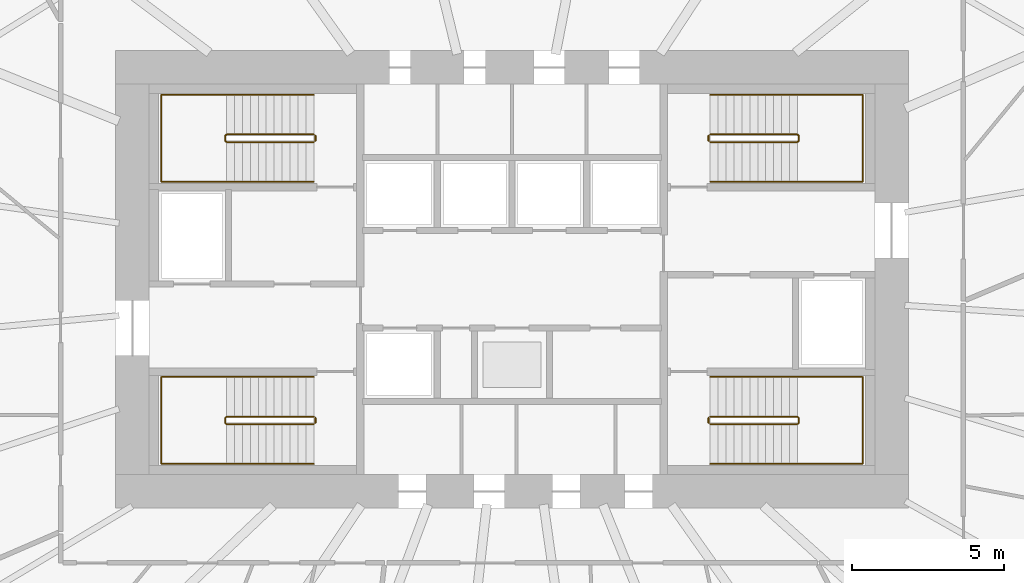
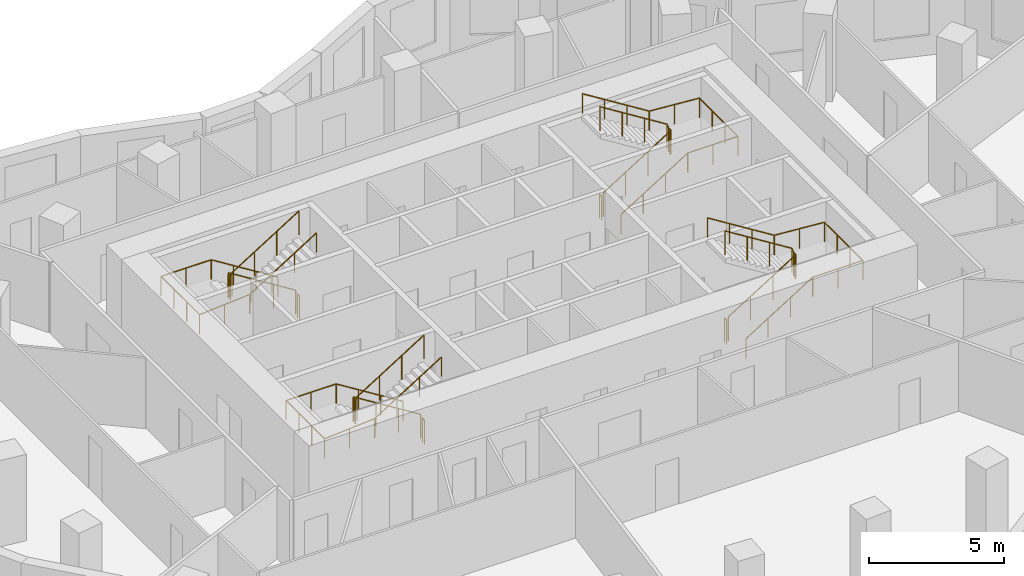
# One storey, part 9 of 10: 12 railings.
"""IFC4 building model written with IfcOpenShell, lengths in metres."""

import ifcopenshell
import ifcopenshell.guid

model = None  # the IFC model being written
_history = None  # IfcOwnerHistory: only IFC2X3 demands one
_inside = {}  # id of a spatial element -> (the spatial element, [elements in it])
_under = {}  # id of a project, library or spatial element -> (it, [spatial elements below it])
_declared = {}  # id of a project -> (the project, [libraries it declares])
_typed = {}  # id of a type object -> (the type object, [elements of that type])
_made_of = {}  # id of a material, layer set ... -> (it, [elements and type objects made of it])


def new_model(schema):
    """Start an empty IFC model of exactly this schema.

    Asked for "IFC4X3", IfcOpenShell would pick the latest addendum, in which some entities
    have other attributes; the version numbers below select the first issue.
    IFC2X3 requires an IfcOwnerHistory on every rooted entity: one is made here for all.
    """
    global model, _history
    if schema == "IFC4X3":
        model = ifcopenshell.file(schema_version=(4, 3, 0, 0))
    else:
        model = ifcopenshell.file(schema=schema)
    _inside.clear()
    _under.clear()
    _declared.clear()
    _typed.clear()
    _made_of.clear()
    _history = None
    if model.schema == "IFC2X3":
        org = make("IfcOrganization", Name="unknown")
        user = make(
            "IfcPersonAndOrganization",
            ThePerson=make("IfcPerson", FamilyName="unknown"),
            TheOrganization=org,
        )
        app = make(
            "IfcApplication",
            ApplicationDeveloper=org,
            Version="unknown",
            ApplicationFullName="unknown",
            ApplicationIdentifier="unknown",
        )
        _history = make(
            "IfcOwnerHistory",
            OwningUser=user,
            OwningApplication=app,
            ChangeAction="ADDED",
            CreationDate=0,
        )
    return model


def make(cls, **values):
    """One entity of the class cls with the attributes given. An attribute that is None is left unset."""
    return model.create_entity(
        cls, **{name: value for name, value in values.items() if value is not None}
    )


def rooted(cls, **values):
    """An entity with a GlobalId (a new one), such as an element, a storey or a relation."""
    return make(cls, GlobalId=ifcopenshell.guid.new(), OwnerHistory=_history, **values)


def si_unit(unit_type, name, prefix=None):
    """IfcSIUnit, for example si_unit("LENGTHUNIT", "METRE", prefix="MILLI")."""
    return make("IfcSIUnit", UnitType=unit_type, Prefix=prefix, Name=name)


def assignment(units):
    """IfcUnitAssignment: the units of a project."""
    return None if units is None else make("IfcUnitAssignment", Units=units)


def point(xyz):
    """IfcCartesianPoint."""
    return None if xyz is None else make("IfcCartesianPoint", Coordinates=xyz)


def direction(xyz):
    """IfcDirection."""
    return None if xyz is None else make("IfcDirection", DirectionRatios=xyz)


def frame(location, z_axis=None, x_axis=None):
    """IfcAxis2Placement3D, a coordinate frame: its origin and axes. An axis left out is left unset."""
    return make(
        "IfcAxis2Placement3D",
        Location=point(location),
        Axis=direction(z_axis),
        RefDirection=direction(x_axis),
    )


def frame_2d(location, x_axis=None):
    """IfcAxis2Placement2D, a coordinate frame in the plane: its origin and x axis."""
    return make(
        "IfcAxis2Placement2D", Location=point(location), RefDirection=direction(x_axis)
    )


def origin():
    """The frame at (0, 0, 0) with its axes left unset."""
    return frame((0.0, 0.0, 0.0))


def origin_2d():
    """The frame at (0, 0) in the plane with its x axis left unset."""
    return frame_2d((0.0, 0.0))


def place(relative_to, where):
    """IfcLocalPlacement: puts the frame where relative to a parent placement (None: the world)."""
    return make(
        "IfcLocalPlacement", PlacementRelTo=relative_to, RelativePlacement=where
    )


def context(
    kind, dimensions, precision=None, world=None, true_north=None, identifier=None
):
    """IfcGeometricRepresentationContext, for example the 3D "Model" context."""
    return make(
        "IfcGeometricRepresentationContext",
        ContextIdentifier=identifier,
        ContextType=kind,
        CoordinateSpaceDimension=dimensions,
        Precision=precision,
        WorldCoordinateSystem=world,
        TrueNorth=true_north,
    )


def subcontext(parent, identifier, kind, view, scale=None):
    """IfcGeometricRepresentationSubContext, for example "Body" below "Model"."""
    return make(
        "IfcGeometricRepresentationSubContext",
        ContextIdentifier=identifier,
        ContextType=kind,
        ParentContext=parent,
        TargetScale=scale,
        TargetView=view,
    )


def project(units=None, contexts=None):
    """IfcProject with its units and contexts."""
    return rooted(
        "IfcProject",
        Name="project",
        RepresentationContexts=contexts,
        UnitsInContext=assignment(units),
    )


def spatial(cls, under=None, at=None, **own):
    """A site, building, storey or space (cls), placed at a placement, below another one or the project."""
    s = rooted(cls, ObjectPlacement=at, **own)
    if under is not None:
        _under.setdefault(under.id(), (under, []))[1].append(s)
    return s


def profile(cls, at=None, kind="AREA", **sizes):
    """A parametric profile (cls). Its sizes go by their IFC names, for example OverallWidth=200.0."""
    return make(cls, ProfileType=kind, Position=at, **sizes)


def circle(**sizes):
    """IfcCircleProfileDef."""
    return profile("IfcCircleProfileDef", **sizes)


def extrude(swept, where, along, depth):
    """IfcExtrudedAreaSolid: the profile swept, set in the frame where, extruded along a direction by depth."""
    return make(
        "IfcExtrudedAreaSolid",
        SweptArea=swept,
        Position=where,
        ExtrudedDirection=direction(along),
        Depth=depth,
    )


def shape(context_of_items, identifier, shape_type, items):
    """IfcShapeRepresentation: the items that make up one representation, for example the "Body"."""
    return make(
        "IfcShapeRepresentation",
        ContextOfItems=context_of_items,
        RepresentationIdentifier=identifier,
        RepresentationType=shape_type,
        Items=items,
    )


def material(Name=None, Category=None):
    """IfcMaterial."""
    return make("IfcMaterial", Name=Name, Category=Category)


def made_of(thing, what):
    """Note that an element or type object is made of a material, layer set ...; save() writes the relation."""
    if what is not None:
        _made_of.setdefault(what.id(), (what, []))[1].append(thing)
    return thing


def type_object(cls, material=None, **own):
    """A type object (cls), such as IfcWallType, which elements share."""
    return made_of(rooted(cls, **own), material)


def element(
    cls,
    number,
    at=None,
    inside=None,
    cuts=None,
    type_object=None,
    material=None,
    context=None,
    identifier="Body",
    shape_type=None,
    held_by="IfcProductDefinitionShape",
    body=None,
    shapes=None,
    **own,
):
    """One element of the class cls, such as IfcWall. Its Tag is "e" and its number.

    at: its placement. inside: the storey or other place that contains it. cuts: it is an
    opening in that element (IfcRelVoidsElement). A single representation is given by context,
    identifier, shape_type and body (its items); several are given by shapes. held_by: the class
    of the entity that holds the representations. save() writes the other relations.
    """
    e = rooted(cls, Tag="e%d" % number, ObjectPlacement=at, **own)
    if body is not None:
        shapes = [shape(context, identifier, shape_type, body)]
    if shapes is not None:
        e.Representation = make(held_by, Representations=shapes)
    if inside is not None:
        _inside.setdefault(inside.id(), (inside, []))[1].append(e)
    if cuts is not None:
        rooted(
            "IfcRelVoidsElement", RelatingBuildingElement=cuts, RelatedOpeningElement=e
        )
    if type_object is not None:
        _typed.setdefault(type_object.id(), (type_object, []))[1].append(e)
    return made_of(e, material)


def aggregate(whole, parts):
    """IfcRelAggregates: a whole, such as a stair, and the parts it consists of."""
    return rooted("IfcRelAggregates", RelatingObject=whole, RelatedObjects=parts)


def save(model, path):
    """Write the relations noted so far, then the file.

    IfcRelAggregates (storeys below a building ...), IfcRelContainedInSpatialStructure (elements
    in a storey), IfcRelDefinesByType, IfcRelAssociatesMaterial and IfcRelDeclares: one each for
    every whole, place, type object, material and project.
    """
    for whole, parts in _under.values():
        aggregate(whole, parts)
    for where, things in _inside.values():
        rooted(
            "IfcRelContainedInSpatialStructure",
            RelatedElements=things,
            RelatingStructure=where,
        )
    for kind, things in _typed.values():
        rooted("IfcRelDefinesByType", RelatedObjects=things, RelatingType=kind)
    for what, things in _made_of.values():
        rooted("IfcRelAssociatesMaterial", RelatedObjects=things, RelatingMaterial=what)
    for by, libraries in _declared.values():
        rooted("IfcRelDeclares", RelatingContext=by, RelatedDefinitions=libraries)
    model.write(path)


model = new_model("IFC4")

# Units and contexts
model_context = context("Model", 3, precision=1e-05, world=origin(), true_north=direction((0.0, 1.0)))
body_context = subcontext(model_context, "Body", "Model", "MODEL_VIEW")
ifc_project = project(units=[si_unit("LENGTHUNIT", "METRE"), si_unit("AREAUNIT", "SQUARE_METRE"), si_unit("VOLUMEUNIT", "CUBIC_METRE"), si_unit("PLANEANGLEUNIT", "RADIAN"), si_unit("MASSUNIT", "GRAM", prefix="KILO")], contexts=[model_context])

# Site, building, storey
site_placement = place(None, origin())
site = spatial("IfcSite", under=ifc_project, at=site_placement, CompositionType="ELEMENT")
building_placement = place(site_placement, origin())
building = spatial("IfcBuilding", under=site, at=building_placement, Name="Rubra Terraces Tower", CompositionType="ELEMENT")
storey_placement = place(building_placement, frame((0.0, 0.0, 134.39990234375)))
storey = spatial("IfcBuildingStorey", under=building, at=storey_placement, Name="L32", CompositionType="ELEMENT", Elevation=134.39990234375)

# Railings
ifc_material = material(Name="Stainless steel", Category="steel")
railing_type_1 = type_object("IfcRailingType", Name="Core stair guard 1100", PredefinedType="GUARDRAIL", material=ifc_material)
railing_1_placement = place(storey_placement, frame((-6.5, 0.0, 0.16259765625)))
element("IfcRailing", 1, at=railing_1_placement, inside=storey, type_object=railing_type_1, Name="L32 stair S1 guard 1", PredefinedType="GUARDRAIL", context=body_context, shape_type="SweptSolid", body=[
    extrude(circle(Radius=0.02392578125, at=origin_2d()), frame((0.0, 0.0, 1.076171875), z_axis=(-0.847994237388, 0.0, 0.530005446535), x_axis=(0.0, -1.0, 0.0)), (0.0, 0.0, 1.0), 3.372802734375),
    extrude(circle(Radius=0.02392578125, at=origin_2d()), frame((-2.860107421875, 0.0, 2.86376953125), z_axis=(-0.705375805398, -0.708833529934, 0.0), x_axis=(0.708833529934, -0.705375805398, 0.0)), (0.0, 0.0, 1.0), 0.070556640625),
    extrude(circle(Radius=0.02392578125, at=origin_2d()), frame((-2.909912109375, -0.050048828125, 2.86376953125), z_axis=(0.0, -1.0, 0.0), x_axis=(1.0, 0.0, 0.0)), (0.0, 0.0, 1.0), 0.14990234375),
    extrude(circle(Radius=0.02392578125, at=origin_2d()), frame((-2.909912109375, -0.199951171875, 2.86376953125), z_axis=(0.281314826061, -0.282693820306, 0.917031173188), x_axis=(0.708833529934, 0.705375805398, 0.0)), (0.0, 0.0, 1.0), 0.177001953125),
    extrude(circle(Radius=0.02392578125, at=origin_2d()), frame((-2.860107421875, -0.25, 3.02587890625), z_axis=(0.847994237388, 0.0, 0.530005446535), x_axis=(0.0, 1.0, 0.0)), (0.0, 0.0, 1.0), 3.372802734375),
    extrude(circle(Radius=0.02099609375, at=origin_2d()), origin(), (0.0, 0.0, 1.0), 1.052001953125),
    extrude(circle(Radius=0.02099609375, at=origin_2d()), frame((-0.953369140625, 0.0, 0.595947265625)), (0.0, 0.0, 1.0), 1.052001953125),
    extrude(circle(Radius=0.02099609375, at=origin_2d()), frame((-1.90673828125, 0.0, 1.191650390625)), (0.0, 0.0, 1.0), 1.052001953125),
    extrude(circle(Radius=0.02099609375, at=origin_2d()), frame((-2.860107421875, 0.0, 1.78759765625)), (0.0, 0.0, 1.0), 1.052001953125),
    extrude(circle(Radius=0.02099609375, at=origin_2d()), frame((-2.909912109375, -0.050048828125, 1.78759765625)), (0.0, 0.0, 1.0), 1.052001953125),
    extrude(circle(Radius=0.02099609375, at=origin_2d()), frame((-2.909912109375, -0.199951171875, 1.78759765625)), (0.0, 0.0, 1.0), 1.052001953125),
    extrude(circle(Radius=0.02099609375, at=origin_2d()), frame((-2.860107421875, -0.25, 1.949951171875)), (0.0, 0.0, 1.0), 1.052001953125),
    extrude(circle(Radius=0.02099609375, at=origin_2d()), frame((-1.90673828125, -0.25, 2.5458984375)), (0.0, 0.0, 1.0), 1.052001953125),
    extrude(circle(Radius=0.02099609375, at=origin_2d()), frame((-0.953369140625, -0.25, 3.1416015625)), (0.0, 0.0, 1.0), 1.052001953125),
    extrude(circle(Radius=0.02099609375, at=origin_2d()), frame((0.0, -0.25, 3.737548828125)), (0.0, 0.0, 1.0), 1.052001953125),
])
railing_2_placement = place(storey_placement, frame((-6.449951171875, -0.050048828125, 0.0)))
element("IfcRailing", 2, at=railing_2_placement, inside=storey, type_object=railing_type_1, Name="L32 stair S1 guard 2", PredefinedType="GUARDRAIL", context=body_context, shape_type="SweptSolid", body=[
    extrude(circle(Radius=0.02392578125, at=origin_2d()), frame((0.0, 0.0, 1.076171875), z_axis=(0.0, -1.0, 0.0), x_axis=(1.0, 0.0, 0.0)), (0.0, 0.0, 1.0), 0.14990234375),
    extrude(circle(Radius=0.02099609375, at=origin_2d()), origin(), (0.0, 0.0, 1.0), 1.052001953125),
    extrude(circle(Radius=0.02099609375, at=origin_2d()), frame((0.0, -0.14990234375, 0.0)), (0.0, 0.0, 1.0), 1.052001953125),
])
railing_3_placement = place(storey_placement, frame((-6.5, 9.25, 0.16259765625)))
element("IfcRailing", 3, at=railing_3_placement, inside=storey, type_object=railing_type_1, Name="L32 stair S2 guard 1", PredefinedType="GUARDRAIL", context=body_context, shape_type="SweptSolid", body=[
    extrude(circle(Radius=0.02392578125, at=origin_2d()), frame((0.0, 0.0, 1.076171875), z_axis=(-0.847994237388, 0.0, 0.530005446535), x_axis=(0.0, -1.0, 0.0)), (0.0, 0.0, 1.0), 3.372802734375),
    extrude(circle(Radius=0.02392578125, at=origin_2d()), frame((-2.860107421875, 0.0, 2.86376953125), z_axis=(-0.705375805398, -0.708833529934, 0.0), x_axis=(0.708833529934, -0.705375805398, 0.0)), (0.0, 0.0, 1.0), 0.070556640625),
    extrude(circle(Radius=0.02392578125, at=origin_2d()), frame((-2.909912109375, -0.050048828125, 2.86376953125), z_axis=(0.0, -1.0, 0.0), x_axis=(1.0, 0.0, 0.0)), (0.0, 0.0, 1.0), 0.14990234375),
    extrude(circle(Radius=0.02392578125, at=origin_2d()), frame((-2.909912109375, -0.199951171875, 2.86376953125), z_axis=(0.281314826061, -0.282693820306, 0.917031173188), x_axis=(0.708833529934, 0.705375805398, 0.0)), (0.0, 0.0, 1.0), 0.177001953125),
    extrude(circle(Radius=0.02392578125, at=origin_2d()), frame((-2.860107421875, -0.25, 3.02587890625), z_axis=(0.847994237388, 0.0, 0.530005446535), x_axis=(0.0, 1.0, 0.0)), (0.0, 0.0, 1.0), 3.372802734375),
    extrude(circle(Radius=0.02099609375, at=origin_2d()), origin(), (0.0, 0.0, 1.0), 1.052001953125),
    extrude(circle(Radius=0.02099609375, at=origin_2d()), frame((-0.953369140625, 0.0, 0.595947265625)), (0.0, 0.0, 1.0), 1.052001953125),
    extrude(circle(Radius=0.02099609375, at=origin_2d()), frame((-1.90673828125, 0.0, 1.191650390625)), (0.0, 0.0, 1.0), 1.052001953125),
    extrude(circle(Radius=0.02099609375, at=origin_2d()), frame((-2.860107421875, 0.0, 1.78759765625)), (0.0, 0.0, 1.0), 1.052001953125),
    extrude(circle(Radius=0.02099609375, at=origin_2d()), frame((-2.909912109375, -0.050048828125, 1.78759765625)), (0.0, 0.0, 1.0), 1.052001953125),
    extrude(circle(Radius=0.02099609375, at=origin_2d()), frame((-2.909912109375, -0.199951171875, 1.78759765625)), (0.0, 0.0, 1.0), 1.052001953125),
    extrude(circle(Radius=0.02099609375, at=origin_2d()), frame((-2.860107421875, -0.25, 1.949951171875)), (0.0, 0.0, 1.0), 1.052001953125),
    extrude(circle(Radius=0.02099609375, at=origin_2d()), frame((-1.90673828125, -0.25, 2.5458984375)), (0.0, 0.0, 1.0), 1.052001953125),
    extrude(circle(Radius=0.02099609375, at=origin_2d()), frame((-0.953369140625, -0.25, 3.1416015625)), (0.0, 0.0, 1.0), 1.052001953125),
    extrude(circle(Radius=0.02099609375, at=origin_2d()), frame((0.0, -0.25, 3.737548828125)), (0.0, 0.0, 1.0), 1.052001953125),
])
railing_4_placement = place(storey_placement, frame((-6.449951171875, 9.199951171875, 0.0)))
element("IfcRailing", 4, at=railing_4_placement, inside=storey, type_object=railing_type_1, Name="L32 stair S2 guard 2", PredefinedType="GUARDRAIL", context=body_context, shape_type="SweptSolid", body=[
    extrude(circle(Radius=0.02392578125, at=origin_2d()), frame((0.0, 0.0, 1.076171875), z_axis=(0.0, -1.0, 0.0), x_axis=(1.0, 0.0, 0.0)), (0.0, 0.0, 1.0), 0.14990234375),
    extrude(circle(Radius=0.02099609375, at=origin_2d()), origin(), (0.0, 0.0, 1.0), 1.052001953125),
    extrude(circle(Radius=0.02099609375, at=origin_2d()), frame((0.0, -0.14990234375, 0.0)), (0.0, 0.0, 1.0), 1.052001953125),
])
railing_5_placement = place(storey_placement, frame((6.5, 9.0, 0.16259765625)))
element("IfcRailing", 5, at=railing_5_placement, inside=storey, type_object=railing_type_1, Name="L32 stair S3 guard 1", PredefinedType="GUARDRAIL", context=body_context, shape_type="SweptSolid", body=[
    extrude(circle(Radius=0.02392578125, at=origin_2d()), frame((0.0, 0.0, 1.076171875), z_axis=(0.847994237388, 0.0, 0.530005446535), x_axis=(0.0, 1.0, 0.0)), (0.0, 0.0, 1.0), 3.372802734375),
    extrude(circle(Radius=0.02392578125, at=origin_2d()), frame((2.860107421875, 0.0, 2.86376953125), z_axis=(0.705375805398, 0.708833529934, 0.0), x_axis=(-0.708833529934, 0.705375805398, 0.0)), (0.0, 0.0, 1.0), 0.070556640625),
    extrude(circle(Radius=0.02392578125, at=origin_2d()), frame((2.909912109375, 0.050048828125, 2.86376953125), z_axis=(0.0, 1.0, 0.0), x_axis=(-1.0, 0.0, 0.0)), (0.0, 0.0, 1.0), 0.14990234375),
    extrude(circle(Radius=0.02392578125, at=origin_2d()), frame((2.909912109375, 0.199951171875, 2.86376953125), z_axis=(-0.281314826061, 0.282693820306, 0.917031173188), x_axis=(-0.708833529934, -0.705375805398, 0.0)), (0.0, 0.0, 1.0), 0.177001953125),
    extrude(circle(Radius=0.02392578125, at=origin_2d()), frame((2.860107421875, 0.25, 3.02587890625), z_axis=(-0.847994237388, 0.0, 0.530005446535), x_axis=(0.0, -1.0, 0.0)), (0.0, 0.0, 1.0), 3.372802734375),
    extrude(circle(Radius=0.02099609375, at=origin_2d()), origin(), (0.0, 0.0, 1.0), 1.052001953125),
    extrude(circle(Radius=0.02099609375, at=origin_2d()), frame((0.953369140625, 0.0, 0.595947265625)), (0.0, 0.0, 1.0), 1.052001953125),
    extrude(circle(Radius=0.02099609375, at=origin_2d()), frame((1.90673828125, 0.0, 1.191650390625)), (0.0, 0.0, 1.0), 1.052001953125),
    extrude(circle(Radius=0.02099609375, at=origin_2d()), frame((2.860107421875, 0.0, 1.78759765625)), (0.0, 0.0, 1.0), 1.052001953125),
    extrude(circle(Radius=0.02099609375, at=origin_2d()), frame((2.909912109375, 0.050048828125, 1.78759765625)), (0.0, 0.0, 1.0), 1.052001953125),
    extrude(circle(Radius=0.02099609375, at=origin_2d()), frame((2.909912109375, 0.199951171875, 1.78759765625)), (0.0, 0.0, 1.0), 1.052001953125),
    extrude(circle(Radius=0.02099609375, at=origin_2d()), frame((2.860107421875, 0.25, 1.949951171875)), (0.0, 0.0, 1.0), 1.052001953125),
    extrude(circle(Radius=0.02099609375, at=origin_2d()), frame((1.90673828125, 0.25, 2.5458984375)), (0.0, 0.0, 1.0), 1.052001953125),
    extrude(circle(Radius=0.02099609375, at=origin_2d()), frame((0.953369140625, 0.25, 3.1416015625)), (0.0, 0.0, 1.0), 1.052001953125),
    extrude(circle(Radius=0.02099609375, at=origin_2d()), frame((0.0, 0.25, 3.737548828125)), (0.0, 0.0, 1.0), 1.052001953125),
])
railing_6_placement = place(storey_placement, frame((6.449951171875, 9.050048828125, 0.0)))
element("IfcRailing", 6, at=railing_6_placement, inside=storey, type_object=railing_type_1, Name="L32 stair S3 guard 2", PredefinedType="GUARDRAIL", context=body_context, shape_type="SweptSolid", body=[
    extrude(circle(Radius=0.02392578125, at=origin_2d()), frame((0.0, 0.0, 1.076171875), z_axis=(0.0, 1.0, 0.0), x_axis=(-1.0, 0.0, 0.0)), (0.0, 0.0, 1.0), 0.14990234375),
    extrude(circle(Radius=0.02099609375, at=origin_2d()), origin(), (0.0, 0.0, 1.0), 1.052001953125),
    extrude(circle(Radius=0.02099609375, at=origin_2d()), frame((0.0, 0.14990234375, 0.0)), (0.0, 0.0, 1.0), 1.052001953125),
])
railing_7_placement = place(storey_placement, frame((6.5, -0.25, 0.16259765625)))
element("IfcRailing", 7, at=railing_7_placement, inside=storey, type_object=railing_type_1, Name="L32 stair S4 guard 1", PredefinedType="GUARDRAIL", context=body_context, shape_type="SweptSolid", body=[
    extrude(circle(Radius=0.02392578125, at=origin_2d()), frame((0.0, 0.0, 1.076171875), z_axis=(0.847994237388, 0.0, 0.530005446535), x_axis=(0.0, 1.0, 0.0)), (0.0, 0.0, 1.0), 3.372802734375),
    extrude(circle(Radius=0.02392578125, at=origin_2d()), frame((2.860107421875, 0.0, 2.86376953125), z_axis=(0.705375805398, 0.708833529934, 0.0), x_axis=(-0.708833529934, 0.705375805398, 0.0)), (0.0, 0.0, 1.0), 0.070556640625),
    extrude(circle(Radius=0.02392578125, at=origin_2d()), frame((2.909912109375, 0.050048828125, 2.86376953125), z_axis=(0.0, 1.0, 0.0), x_axis=(-1.0, 0.0, 0.0)), (0.0, 0.0, 1.0), 0.14990234375),
    extrude(circle(Radius=0.02392578125, at=origin_2d()), frame((2.909912109375, 0.199951171875, 2.86376953125), z_axis=(-0.281314826061, 0.282693820306, 0.917031173188), x_axis=(-0.708833529934, -0.705375805398, 0.0)), (0.0, 0.0, 1.0), 0.177001953125),
    extrude(circle(Radius=0.02392578125, at=origin_2d()), frame((2.860107421875, 0.25, 3.02587890625), z_axis=(-0.847994237388, 0.0, 0.530005446535), x_axis=(0.0, -1.0, 0.0)), (0.0, 0.0, 1.0), 3.372802734375),
    extrude(circle(Radius=0.02099609375, at=origin_2d()), origin(), (0.0, 0.0, 1.0), 1.052001953125),
    extrude(circle(Radius=0.02099609375, at=origin_2d()), frame((0.953369140625, 0.0, 0.595947265625)), (0.0, 0.0, 1.0), 1.052001953125),
    extrude(circle(Radius=0.02099609375, at=origin_2d()), frame((1.90673828125, 0.0, 1.191650390625)), (0.0, 0.0, 1.0), 1.052001953125),
    extrude(circle(Radius=0.02099609375, at=origin_2d()), frame((2.860107421875, 0.0, 1.78759765625)), (0.0, 0.0, 1.0), 1.052001953125),
    extrude(circle(Radius=0.02099609375, at=origin_2d()), frame((2.909912109375, 0.050048828125, 1.78759765625)), (0.0, 0.0, 1.0), 1.052001953125),
    extrude(circle(Radius=0.02099609375, at=origin_2d()), frame((2.909912109375, 0.199951171875, 1.78759765625)), (0.0, 0.0, 1.0), 1.052001953125),
    extrude(circle(Radius=0.02099609375, at=origin_2d()), frame((2.860107421875, 0.25, 1.949951171875)), (0.0, 0.0, 1.0), 1.052001953125),
    extrude(circle(Radius=0.02099609375, at=origin_2d()), frame((1.90673828125, 0.25, 2.5458984375)), (0.0, 0.0, 1.0), 1.052001953125),
    extrude(circle(Radius=0.02099609375, at=origin_2d()), frame((0.953369140625, 0.25, 3.1416015625)), (0.0, 0.0, 1.0), 1.052001953125),
    extrude(circle(Radius=0.02099609375, at=origin_2d()), frame((0.0, 0.25, 3.737548828125)), (0.0, 0.0, 1.0), 1.052001953125),
])
railing_8_placement = place(storey_placement, frame((6.449951171875, -0.199951171875, 0.0)))
element("IfcRailing", 8, at=railing_8_placement, inside=storey, type_object=railing_type_1, Name="L32 stair S4 guard 2", PredefinedType="GUARDRAIL", context=body_context, shape_type="SweptSolid", body=[
    extrude(circle(Radius=0.02392578125, at=origin_2d()), frame((0.0, 0.0, 1.076171875), z_axis=(0.0, 1.0, 0.0), x_axis=(-1.0, 0.0, 0.0)), (0.0, 0.0, 1.0), 0.14990234375),
    extrude(circle(Radius=0.02099609375, at=origin_2d()), origin(), (0.0, 0.0, 1.0), 1.052001953125),
    extrude(circle(Radius=0.02099609375, at=origin_2d()), frame((0.0, 0.14990234375, 0.0)), (0.0, 0.0, 1.0), 1.052001953125),
])
railing_type_2 = type_object("IfcRailingType", Name="Core stair handrail 900", PredefinedType="HANDRAIL", material=ifc_material)
railing_9_placement = place(storey_placement, frame((-6.5, 1.300048828125, 0.16259765625)))
element("IfcRailing", 9, at=railing_9_placement, inside=storey, type_object=railing_type_2, Name="L32 stair S1 handrail 1", PredefinedType="HANDRAIL", context=body_context, shape_type="SweptSolid", body=[
    extrude(circle(Radius=0.02392578125, at=origin_2d()), frame((0.0, 0.0, 0.8759765625), z_axis=(-0.847994237388, 0.0, 0.530005446535), x_axis=(0.0, -1.0, 0.0)), (0.0, 0.0, 1.0), 3.372802734375),
    extrude(circle(Radius=0.02392578125, at=origin_2d()), frame((-2.860107421875, 0.0, 2.66357421875), z_axis=(-1.0, 0.0, 0.0), x_axis=(0.0, -1.0, 0.0)), (0.0, 0.0, 1.0), 2.139892578125),
    extrude(circle(Radius=0.02392578125, at=origin_2d()), frame((-5.0, 0.0, 2.66357421875), z_axis=(0.0, -1.0, 0.0), x_axis=(1.0, 0.0, 0.0)), (0.0, 0.0, 1.0), 2.85009765625),
    extrude(circle(Radius=0.02392578125, at=origin_2d()), frame((-5.0, -2.85009765625, 2.66357421875), z_axis=(0.9971342424, 0.0, 0.075652512401), x_axis=(0.0, 1.0, 0.0)), (0.0, 0.0, 1.0), 2.14599609375),
    extrude(circle(Radius=0.02392578125, at=origin_2d()), frame((-2.860107421875, -2.85009765625, 2.82568359375), z_axis=(0.847994237388, 0.0, 0.530005446535), x_axis=(0.0, 1.0, 0.0)), (0.0, 0.0, 1.0), 3.372802734375),
    extrude(circle(Radius=0.02099609375, at=origin_2d()), origin(), (0.0, 0.0, 1.0), 0.851806640625),
    extrude(circle(Radius=0.02099609375, at=origin_2d()), frame((-0.953369140625, 0.0, 0.595947265625)), (0.0, 0.0, 1.0), 0.851806640625),
    extrude(circle(Radius=0.02099609375, at=origin_2d()), frame((-1.90673828125, 0.0, 1.191650390625)), (0.0, 0.0, 1.0), 0.851806640625),
    extrude(circle(Radius=0.02099609375, at=origin_2d()), frame((-2.860107421875, 0.0, 1.78759765625)), (0.0, 0.0, 1.0), 0.851806640625),
    extrude(circle(Radius=0.02099609375, at=origin_2d()), frame((-3.93017578125, 0.0, 1.78759765625)), (0.0, 0.0, 1.0), 0.851806640625),
    extrude(circle(Radius=0.02099609375, at=origin_2d()), frame((-5.0, 0.0, 1.78759765625)), (0.0, 0.0, 1.0), 0.851806640625),
    extrude(circle(Radius=0.02099609375, at=origin_2d()), frame((-5.0, -0.949951171875, 1.78759765625)), (0.0, 0.0, 1.0), 0.851806640625),
    extrude(circle(Radius=0.02099609375, at=origin_2d()), frame((-5.0, -1.900146484375, 1.78759765625)), (0.0, 0.0, 1.0), 0.851806640625),
    extrude(circle(Radius=0.02099609375, at=origin_2d()), frame((-5.0, -2.85009765625, 1.78759765625)), (0.0, 0.0, 1.0), 0.851806640625),
    extrude(circle(Radius=0.02099609375, at=origin_2d()), frame((-3.93017578125, -2.85009765625, 1.86865234375)), (0.0, 0.0, 1.0), 0.851806640625),
    extrude(circle(Radius=0.02099609375, at=origin_2d()), frame((-2.860107421875, -2.85009765625, 1.949951171875)), (0.0, 0.0, 1.0), 0.851806640625),
    extrude(circle(Radius=0.02099609375, at=origin_2d()), frame((-1.90673828125, -2.85009765625, 2.5458984375)), (0.0, 0.0, 1.0), 0.851806640625),
    extrude(circle(Radius=0.02099609375, at=origin_2d()), frame((-0.953369140625, -2.85009765625, 3.1416015625)), (0.0, 0.0, 1.0), 0.851806640625),
    extrude(circle(Radius=0.02099609375, at=origin_2d()), frame((0.0, -2.85009765625, 3.737548828125)), (0.0, 0.0, 1.0), 0.851806640625),
])
railing_10_placement = place(storey_placement, frame((-6.5, 10.550048828125, 0.16259765625)))
element("IfcRailing", 10, at=railing_10_placement, inside=storey, type_object=railing_type_2, Name="L32 stair S2 handrail 1", PredefinedType="HANDRAIL", context=body_context, shape_type="SweptSolid", body=[
    extrude(circle(Radius=0.02392578125, at=origin_2d()), frame((0.0, 0.0, 0.8759765625), z_axis=(-0.847994237388, 0.0, 0.530005446535), x_axis=(0.0, -1.0, 0.0)), (0.0, 0.0, 1.0), 3.372802734375),
    extrude(circle(Radius=0.02392578125, at=origin_2d()), frame((-2.860107421875, 0.0, 2.66357421875), z_axis=(-1.0, 0.0, 0.0), x_axis=(0.0, -1.0, 0.0)), (0.0, 0.0, 1.0), 2.139892578125),
    extrude(circle(Radius=0.02392578125, at=origin_2d()), frame((-5.0, 0.0, 2.66357421875), z_axis=(0.0, -1.0, 0.0), x_axis=(1.0, 0.0, 0.0)), (0.0, 0.0, 1.0), 2.85009765625),
    extrude(circle(Radius=0.02392578125, at=origin_2d()), frame((-5.0, -2.85009765625, 2.66357421875), z_axis=(0.9971342424, 0.0, 0.075652512401), x_axis=(0.0, 1.0, 0.0)), (0.0, 0.0, 1.0), 2.14599609375),
    extrude(circle(Radius=0.02392578125, at=origin_2d()), frame((-2.860107421875, -2.85009765625, 2.82568359375), z_axis=(0.847994237388, 0.0, 0.530005446535), x_axis=(0.0, 1.0, 0.0)), (0.0, 0.0, 1.0), 3.372802734375),
    extrude(circle(Radius=0.02099609375, at=origin_2d()), origin(), (0.0, 0.0, 1.0), 0.851806640625),
    extrude(circle(Radius=0.02099609375, at=origin_2d()), frame((-0.953369140625, 0.0, 0.595947265625)), (0.0, 0.0, 1.0), 0.851806640625),
    extrude(circle(Radius=0.02099609375, at=origin_2d()), frame((-1.90673828125, 0.0, 1.191650390625)), (0.0, 0.0, 1.0), 0.851806640625),
    extrude(circle(Radius=0.02099609375, at=origin_2d()), frame((-2.860107421875, 0.0, 1.78759765625)), (0.0, 0.0, 1.0), 0.851806640625),
    extrude(circle(Radius=0.02099609375, at=origin_2d()), frame((-3.93017578125, 0.0, 1.78759765625)), (0.0, 0.0, 1.0), 0.851806640625),
    extrude(circle(Radius=0.02099609375, at=origin_2d()), frame((-5.0, 0.0, 1.78759765625)), (0.0, 0.0, 1.0), 0.851806640625),
    extrude(circle(Radius=0.02099609375, at=origin_2d()), frame((-5.0, -0.949951171875, 1.78759765625)), (0.0, 0.0, 1.0), 0.851806640625),
    extrude(circle(Radius=0.02099609375, at=origin_2d()), frame((-5.0, -1.900146484375, 1.78759765625)), (0.0, 0.0, 1.0), 0.851806640625),
    extrude(circle(Radius=0.02099609375, at=origin_2d()), frame((-5.0, -2.85009765625, 1.78759765625)), (0.0, 0.0, 1.0), 0.851806640625),
    extrude(circle(Radius=0.02099609375, at=origin_2d()), frame((-3.93017578125, -2.85009765625, 1.86865234375)), (0.0, 0.0, 1.0), 0.851806640625),
    extrude(circle(Radius=0.02099609375, at=origin_2d()), frame((-2.860107421875, -2.85009765625, 1.949951171875)), (0.0, 0.0, 1.0), 0.851806640625),
    extrude(circle(Radius=0.02099609375, at=origin_2d()), frame((-1.90673828125, -2.85009765625, 2.5458984375)), (0.0, 0.0, 1.0), 0.851806640625),
    extrude(circle(Radius=0.02099609375, at=origin_2d()), frame((-0.953369140625, -2.85009765625, 3.1416015625)), (0.0, 0.0, 1.0), 0.851806640625),
    extrude(circle(Radius=0.02099609375, at=origin_2d()), frame((0.0, -2.85009765625, 3.737548828125)), (0.0, 0.0, 1.0), 0.851806640625),
])
railing_11_placement = place(storey_placement, frame((6.5, 7.699951171875, 0.16259765625)))
element("IfcRailing", 11, at=railing_11_placement, inside=storey, type_object=railing_type_2, Name="L32 stair S3 handrail 1", PredefinedType="HANDRAIL", context=body_context, shape_type="SweptSolid", body=[
    extrude(circle(Radius=0.02392578125, at=origin_2d()), frame((0.0, 0.0, 0.8759765625), z_axis=(0.847994237388, 0.0, 0.530005446535), x_axis=(0.0, 1.0, 0.0)), (0.0, 0.0, 1.0), 3.372802734375),
    extrude(circle(Radius=0.02392578125, at=origin_2d()), frame((2.860107421875, 0.0, 2.66357421875), z_axis=(1.0, 0.0, 0.0), x_axis=(0.0, 1.0, 0.0)), (0.0, 0.0, 1.0), 2.139892578125),
    extrude(circle(Radius=0.02392578125, at=origin_2d()), frame((5.0, 0.0, 2.66357421875), z_axis=(0.0, 1.0, 0.0), x_axis=(-1.0, 0.0, 0.0)), (0.0, 0.0, 1.0), 2.85009765625),
    extrude(circle(Radius=0.02392578125, at=origin_2d()), frame((5.0, 2.85009765625, 2.66357421875), z_axis=(-0.9971342424, 0.0, 0.075652512401), x_axis=(0.0, -1.0, 0.0)), (0.0, 0.0, 1.0), 2.14599609375),
    extrude(circle(Radius=0.02392578125, at=origin_2d()), frame((2.860107421875, 2.85009765625, 2.82568359375), z_axis=(-0.847994237388, 0.0, 0.530005446535), x_axis=(0.0, -1.0, 0.0)), (0.0, 0.0, 1.0), 3.372802734375),
    extrude(circle(Radius=0.02099609375, at=origin_2d()), origin(), (0.0, 0.0, 1.0), 0.851806640625),
    extrude(circle(Radius=0.02099609375, at=origin_2d()), frame((0.953369140625, 0.0, 0.595947265625)), (0.0, 0.0, 1.0), 0.851806640625),
    extrude(circle(Radius=0.02099609375, at=origin_2d()), frame((1.90673828125, 0.0, 1.191650390625)), (0.0, 0.0, 1.0), 0.851806640625),
    extrude(circle(Radius=0.02099609375, at=origin_2d()), frame((2.860107421875, 0.0, 1.78759765625)), (0.0, 0.0, 1.0), 0.851806640625),
    extrude(circle(Radius=0.02099609375, at=origin_2d()), frame((3.93017578125, 0.0, 1.78759765625)), (0.0, 0.0, 1.0), 0.851806640625),
    extrude(circle(Radius=0.02099609375, at=origin_2d()), frame((5.0, 0.0, 1.78759765625)), (0.0, 0.0, 1.0), 0.851806640625),
    extrude(circle(Radius=0.02099609375, at=origin_2d()), frame((5.0, 0.949951171875, 1.78759765625)), (0.0, 0.0, 1.0), 0.851806640625),
    extrude(circle(Radius=0.02099609375, at=origin_2d()), frame((5.0, 1.900146484375, 1.78759765625)), (0.0, 0.0, 1.0), 0.851806640625),
    extrude(circle(Radius=0.02099609375, at=origin_2d()), frame((5.0, 2.85009765625, 1.78759765625)), (0.0, 0.0, 1.0), 0.851806640625),
    extrude(circle(Radius=0.02099609375, at=origin_2d()), frame((3.93017578125, 2.85009765625, 1.86865234375)), (0.0, 0.0, 1.0), 0.851806640625),
    extrude(circle(Radius=0.02099609375, at=origin_2d()), frame((2.860107421875, 2.85009765625, 1.949951171875)), (0.0, 0.0, 1.0), 0.851806640625),
    extrude(circle(Radius=0.02099609375, at=origin_2d()), frame((1.90673828125, 2.85009765625, 2.5458984375)), (0.0, 0.0, 1.0), 0.851806640625),
    extrude(circle(Radius=0.02099609375, at=origin_2d()), frame((0.953369140625, 2.85009765625, 3.1416015625)), (0.0, 0.0, 1.0), 0.851806640625),
    extrude(circle(Radius=0.02099609375, at=origin_2d()), frame((0.0, 2.85009765625, 3.737548828125)), (0.0, 0.0, 1.0), 0.851806640625),
])
railing_12_placement = place(storey_placement, frame((6.5, -1.550048828125, 0.16259765625)))
element("IfcRailing", 12, at=railing_12_placement, inside=storey, type_object=railing_type_2, Name="L32 stair S4 handrail 1", PredefinedType="HANDRAIL", context=body_context, shape_type="SweptSolid", body=[
    extrude(circle(Radius=0.02392578125, at=origin_2d()), frame((0.0, 0.0, 0.8759765625), z_axis=(0.847994237388, 0.0, 0.530005446535), x_axis=(0.0, 1.0, 0.0)), (0.0, 0.0, 1.0), 3.372802734375),
    extrude(circle(Radius=0.02392578125, at=origin_2d()), frame((2.860107421875, 0.0, 2.66357421875), z_axis=(1.0, 0.0, 0.0), x_axis=(0.0, 1.0, 0.0)), (0.0, 0.0, 1.0), 2.139892578125),
    extrude(circle(Radius=0.02392578125, at=origin_2d()), frame((5.0, 0.0, 2.66357421875), z_axis=(0.0, 1.0, 0.0), x_axis=(-1.0, 0.0, 0.0)), (0.0, 0.0, 1.0), 2.85009765625),
    extrude(circle(Radius=0.02392578125, at=origin_2d()), frame((5.0, 2.85009765625, 2.66357421875), z_axis=(-0.9971342424, 0.0, 0.075652512401), x_axis=(0.0, -1.0, 0.0)), (0.0, 0.0, 1.0), 2.14599609375),
    extrude(circle(Radius=0.02392578125, at=origin_2d()), frame((2.860107421875, 2.85009765625, 2.82568359375), z_axis=(-0.847994237388, 0.0, 0.530005446535), x_axis=(0.0, -1.0, 0.0)), (0.0, 0.0, 1.0), 3.372802734375),
    extrude(circle(Radius=0.02099609375, at=origin_2d()), origin(), (0.0, 0.0, 1.0), 0.851806640625),
    extrude(circle(Radius=0.02099609375, at=origin_2d()), frame((0.953369140625, 0.0, 0.595947265625)), (0.0, 0.0, 1.0), 0.851806640625),
    extrude(circle(Radius=0.02099609375, at=origin_2d()), frame((1.90673828125, 0.0, 1.191650390625)), (0.0, 0.0, 1.0), 0.851806640625),
    extrude(circle(Radius=0.02099609375, at=origin_2d()), frame((2.860107421875, 0.0, 1.78759765625)), (0.0, 0.0, 1.0), 0.851806640625),
    extrude(circle(Radius=0.02099609375, at=origin_2d()), frame((3.93017578125, 0.0, 1.78759765625)), (0.0, 0.0, 1.0), 0.851806640625),
    extrude(circle(Radius=0.02099609375, at=origin_2d()), frame((5.0, 0.0, 1.78759765625)), (0.0, 0.0, 1.0), 0.851806640625),
    extrude(circle(Radius=0.02099609375, at=origin_2d()), frame((5.0, 0.949951171875, 1.78759765625)), (0.0, 0.0, 1.0), 0.851806640625),
    extrude(circle(Radius=0.02099609375, at=origin_2d()), frame((5.0, 1.900146484375, 1.78759765625)), (0.0, 0.0, 1.0), 0.851806640625),
    extrude(circle(Radius=0.02099609375, at=origin_2d()), frame((5.0, 2.85009765625, 1.78759765625)), (0.0, 0.0, 1.0), 0.851806640625),
    extrude(circle(Radius=0.02099609375, at=origin_2d()), frame((3.93017578125, 2.85009765625, 1.86865234375)), (0.0, 0.0, 1.0), 0.851806640625),
    extrude(circle(Radius=0.02099609375, at=origin_2d()), frame((2.860107421875, 2.85009765625, 1.949951171875)), (0.0, 0.0, 1.0), 0.851806640625),
    extrude(circle(Radius=0.02099609375, at=origin_2d()), frame((1.90673828125, 2.85009765625, 2.5458984375)), (0.0, 0.0, 1.0), 0.851806640625),
    extrude(circle(Radius=0.02099609375, at=origin_2d()), frame((0.953369140625, 2.85009765625, 3.1416015625)), (0.0, 0.0, 1.0), 0.851806640625),
    extrude(circle(Radius=0.02099609375, at=origin_2d()), frame((0.0, 2.85009765625, 3.737548828125)), (0.0, 0.0, 1.0), 0.851806640625),
])

save(model, "model.ifc")
